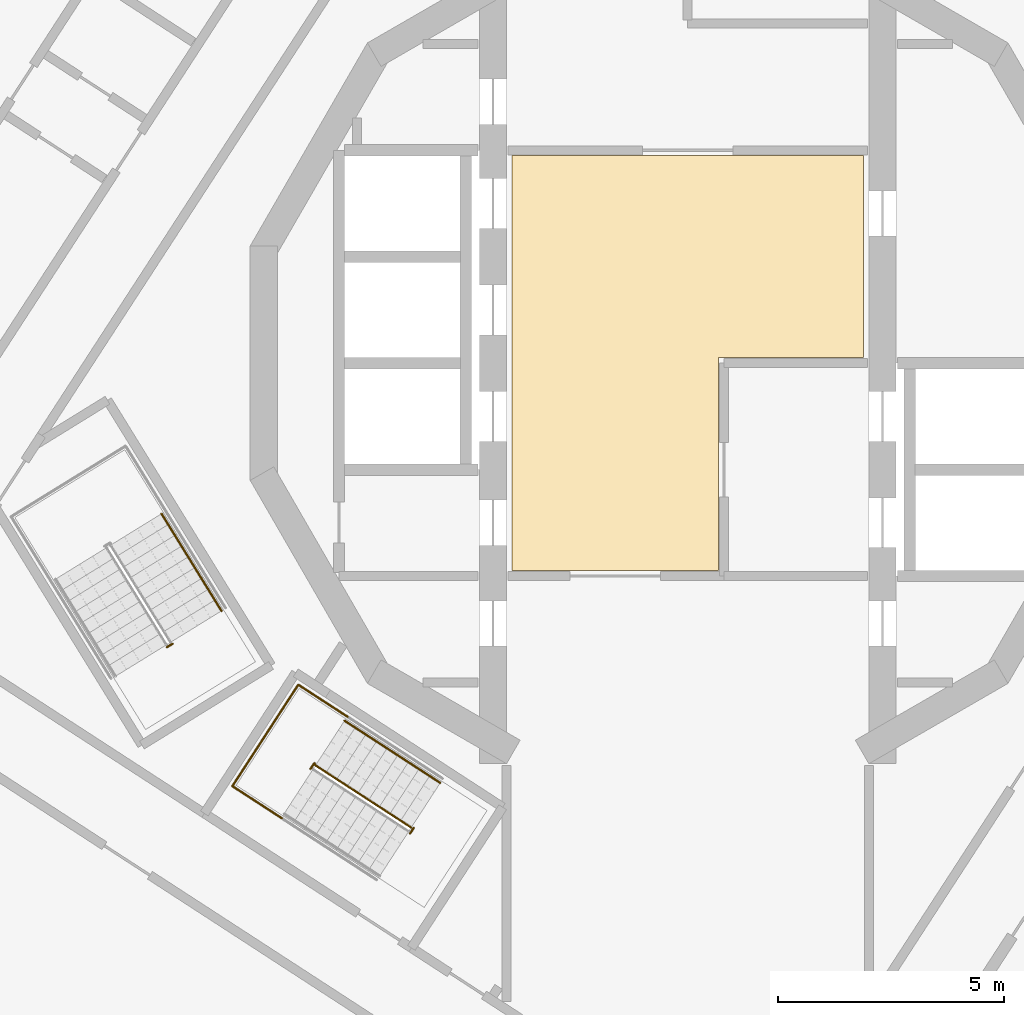
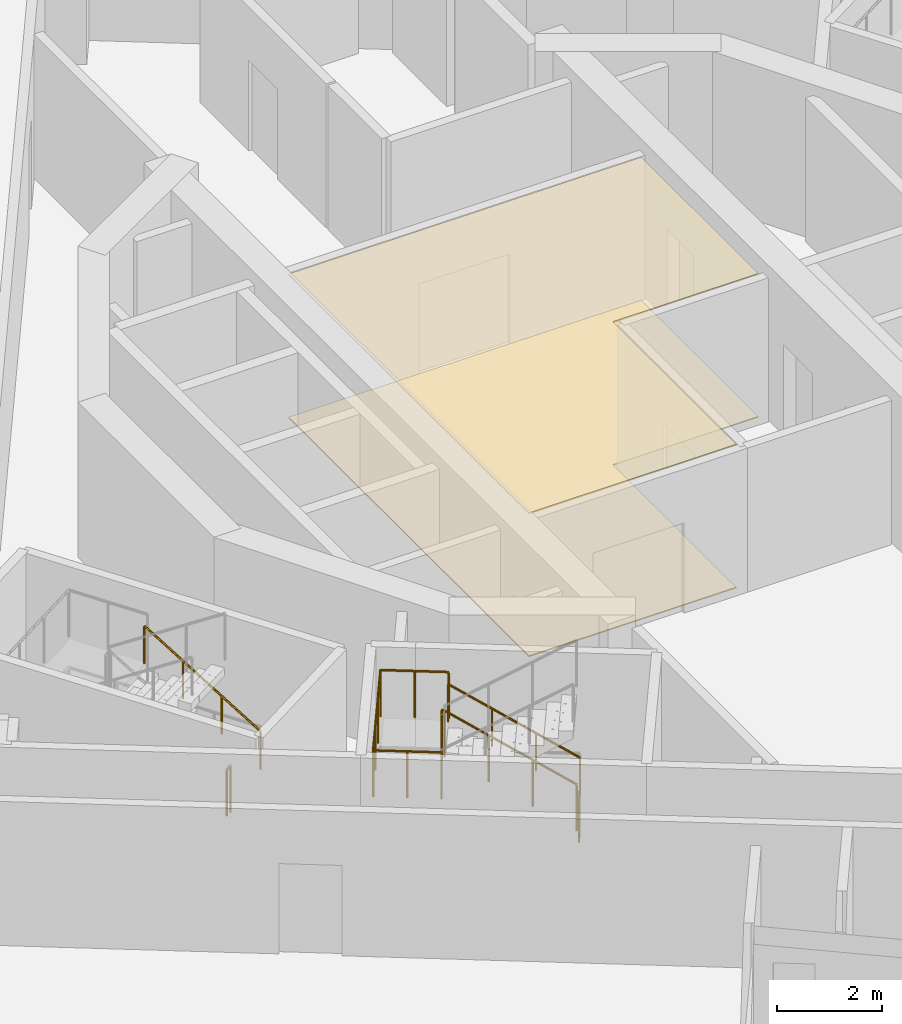
# One storey, part 11 of 15: 6 railings, 2 coverings.
"""IFC4 building model written with IfcOpenShell, lengths in metres."""

from ifc_helpers import new_model, si_unit, direction, frame, origin, origin_2d, place, context, subcontext, project, spatial, polyline, circle, outline, extrude, material, layer, layer_set, type_object, element, save


model = new_model("IFC4")

# Units and contexts
model_context = context("Model", 3, precision=1e-05, world=origin(), true_north=direction((0.0, 1.0)))
body_context = subcontext(model_context, "Body", "Model", "MODEL_VIEW")
ifc_project = project(units=[si_unit("LENGTHUNIT", "METRE"), si_unit("AREAUNIT", "SQUARE_METRE"), si_unit("VOLUMEUNIT", "CUBIC_METRE"), si_unit("PLANEANGLEUNIT", "RADIAN"), si_unit("MASSUNIT", "GRAM", prefix="KILO")], contexts=[model_context])

# Site, building, storey
site_placement = place(None, origin())
site = spatial("IfcSite", under=ifc_project, at=site_placement, CompositionType="ELEMENT")
building_placement = place(site_placement, origin())
building = spatial("IfcBuilding", under=site, at=building_placement, Name="Cantera Rosa Tower", CompositionType="ELEMENT")
storey_placement = place(building_placement, frame((0.0, 0.0, 250.5)))
storey = spatial("IfcBuildingStorey", under=building, at=storey_placement, Name="L55", CompositionType="ELEMENT", Elevation=250.5)

# Railings
ifc_material_1 = material(Name="Steel S355J2 (EN 10025-2)", Category="steel")
railing_type_1 = type_object("IfcRailingType", Name="STAIR GUARD 1100", PredefinedType="GUARDRAIL", material=ifc_material_1)
railing_1_placement = place(storey_placement, frame((-11.375, -6.19482421875, 0.0)))
element("IfcRailing", 1, at=railing_1_placement, inside=storey, type_object=railing_type_1, Name="L55 ST-52 stair guard 3", PredefinedType="GUARDRAIL", context=body_context, shape_type="SweptSolid", body=[
    extrude(circle(Radius=0.02392578125, at=origin_2d()), frame((0.0, 0.0, 1.076171875), z_axis=(-0.851546489876, -0.524279100842, 0.0), x_axis=(0.524279100842, -0.851546489876, 0.0)), (0.0, 0.0, 1.0), 0.14990234375),
    extrude(circle(Radius=0.02099609375, at=origin_2d()), origin(), (0.0, 0.0, 1.0), 1.052001953125),
    extrude(circle(Radius=0.02099609375, at=origin_2d()), frame((-0.127685546875, -0.07861328125, 0.0)), (0.0, 0.0, 1.0), 1.052001953125),
])
railing_2_placement = place(storey_placement, frame((-6.10400390625, -10.25341796875, 0.179931640625)))
element("IfcRailing", 2, at=railing_2_placement, inside=storey, type_object=railing_type_1, Name="L55 ST-53 stair guard 1", PredefinedType="GUARDRAIL", context=body_context, shape_type="SweptSolid", body=[
    extrude(circle(Radius=0.02392578125, at=origin_2d()), frame((0.0, 0.0, 1.076171875), z_axis=(-0.705462015847, 0.458138784, 0.540770005448), x_axis=(-0.544644381691, -0.838667095749, 0.0)), (0.0, 0.0, 1.0), 2.995849609375),
    extrude(circle(Radius=0.02392578125, at=origin_2d()), frame((-2.113525390625, 1.37255859375, 2.6962890625), z_axis=(-0.49005532576, 0.871691331662, 0.0), x_axis=(-0.871691331662, -0.49005532576, 0.0)), (0.0, 0.0, 1.0), 0.056396484375),
    extrude(circle(Radius=0.02392578125, at=origin_2d()), frame((-2.14111328125, 1.421630859375, 2.6962890625), z_axis=(-0.545274379459, -0.838257628123, 0.0), x_axis=(0.838257628123, -0.545274379459, 0.0)), (0.0, 0.0, 1.0), 0.14990234375),
    extrude(circle(Radius=0.02099609375, at=origin_2d()), origin(), (0.0, 0.0, 1.0), 1.052001953125),
    extrude(circle(Radius=0.02099609375, at=origin_2d()), frame((-0.70458984375, 0.45751953125, 0.5400390625)), (0.0, 0.0, 1.0), 1.052001953125),
    extrude(circle(Radius=0.02099609375, at=origin_2d()), frame((-1.408935546875, 0.9150390625, 1.080078125)), (0.0, 0.0, 1.0), 1.052001953125),
    extrude(circle(Radius=0.02099609375, at=origin_2d()), frame((-2.113525390625, 1.37255859375, 1.6201171875)), (0.0, 0.0, 1.0), 1.052001953125),
    extrude(circle(Radius=0.02099609375, at=origin_2d()), frame((-2.14111328125, 1.421630859375, 1.6201171875)), (0.0, 0.0, 1.0), 1.052001953125),
    extrude(circle(Radius=0.02099609375, at=origin_2d()), frame((-2.222900390625, 1.2958984375, 1.6201171875)), (0.0, 0.0, 1.0), 1.052001953125),
])
railing_3_placement = place(storey_placement, frame((-6.0478515625, -10.2587890625, 0.0)))
element("IfcRailing", 3, at=railing_3_placement, inside=storey, type_object=railing_type_1, Name="L55 ST-53 stair guard 3", PredefinedType="GUARDRAIL", context=body_context, shape_type="SweptSolid", body=[
    extrude(circle(Radius=0.02392578125, at=origin_2d()), frame((0.0, 0.0, 1.076171875), z_axis=(-0.545274379459, -0.838257628123, 0.0), x_axis=(0.838257628123, -0.545274379459, 0.0)), (0.0, 0.0, 1.0), 0.14990234375),
    extrude(circle(Radius=0.02099609375, at=origin_2d()), origin(), (0.0, 0.0, 1.0), 1.052001953125),
    extrude(circle(Radius=0.02099609375, at=origin_2d()), frame((-0.081787109375, -0.125732421875, 0.0)), (0.0, 0.0, 1.0), 1.052001953125),
])
railing_4_placement = place(storey_placement, frame((-7.507080078125, -7.808837890625, 1.800048828125)))
element("IfcRailing", 4, at=railing_4_placement, inside=storey, type_object=railing_type_1, Name="L55 ST-53 stair guard 5", PredefinedType="GUARDRAIL", context=body_context, shape_type="SweptSolid", body=[
    extrude(circle(Radius=0.02392578125, at=origin_2d()), frame((0.0, 0.0, 1.076171875), z_axis=(-0.838597818641, 0.544751042744, 0.0), x_axis=(-0.544751042744, -0.838597818641, 0.0)), (0.0, 0.0, 1.0), 1.302001953125),
    extrude(circle(Radius=0.02392578125, at=origin_2d()), frame((-1.091796875, 0.709228515625, 1.076171875), z_axis=(-0.544679779991, -0.838644106442, 0.0), x_axis=(0.838644106442, -0.544679779991, 0.0)), (0.0, 0.0, 1.0), 2.670166015625),
    extrude(circle(Radius=0.02392578125, at=origin_2d()), frame((-2.546142578125, -1.530029296875, 1.076171875), z_axis=(0.838653453326, -0.544665388311, 0.0), x_axis=(0.544665388311, 0.838653453326, 0.0)), (0.0, 0.0, 1.0), 1.30224609375),
    extrude(circle(Radius=0.02099609375, at=origin_2d()), origin(), (0.0, 0.0, 1.0), 1.052001953125),
    extrude(circle(Radius=0.02099609375, at=origin_2d()), frame((-0.5458984375, 0.3544921875, 0.0)), (0.0, 0.0, 1.0), 1.052001953125),
    extrude(circle(Radius=0.02099609375, at=origin_2d()), frame((-1.091796875, 0.709228515625, 0.0)), (0.0, 0.0, 1.0), 1.052001953125),
    extrude(circle(Radius=0.02099609375, at=origin_2d()), frame((-1.57666015625, -0.037109375, 0.0)), (0.0, 0.0, 1.0), 1.052001953125),
    extrude(circle(Radius=0.02099609375, at=origin_2d()), frame((-2.061279296875, -0.78369140625, 0.0)), (0.0, 0.0, 1.0), 1.052001953125),
    extrude(circle(Radius=0.02099609375, at=origin_2d()), frame((-2.546142578125, -1.530029296875, 0.0)), (0.0, 0.0, 1.0), 1.052001953125),
    extrude(circle(Radius=0.02099609375, at=origin_2d()), frame((-2.0, -1.884765625, 0.0)), (0.0, 0.0, 1.0), 1.052001953125),
    extrude(circle(Radius=0.02099609375, at=origin_2d()), frame((-1.4541015625, -2.2392578125, 0.0)), (0.0, 0.0, 1.0), 1.052001953125),
])
ifc_material_2 = material(Name="Steel S355J2 (EN 10025-2)", Category="steel")
railing_type_2 = type_object("IfcRailingType", Name="STAIR HANDRAIL 900", PredefinedType="HANDRAIL", material=ifc_material_2)
railing_5_placement = place(storey_placement, frame((-10.294677734375, -5.4697265625, 0.179931640625)))
element("IfcRailing", 5, at=railing_5_placement, inside=storey, type_object=railing_type_2, Name="L55 ST-52 stair handrail 1", PredefinedType="HANDRAIL", context=body_context, shape_type="SweptSolid", body=[
    extrude(circle(Radius=0.02392578125, at=origin_2d()), frame((0.0, 0.0, 0.8759765625), z_axis=(-0.441609067481, 0.715913574058, 0.540785711718), x_axis=(-0.851102330005, -0.524999832248, 0.0)), (0.0, 0.0, 1.0), 2.995849609375),
    extrude(circle(Radius=0.02099609375, at=origin_2d()), origin(), (0.0, 0.0, 1.0), 0.851806640625),
    extrude(circle(Radius=0.02099609375, at=origin_2d()), frame((-0.44091796875, 0.71484375, 0.5400390625)), (0.0, 0.0, 1.0), 0.851806640625),
    extrude(circle(Radius=0.02099609375, at=origin_2d()), frame((-0.882080078125, 1.429931640625, 1.080078125)), (0.0, 0.0, 1.0), 0.851806640625),
    extrude(circle(Radius=0.02099609375, at=origin_2d()), frame((-1.322998046875, 2.144775390625, 1.6201171875)), (0.0, 0.0, 1.0), 0.851806640625),
])
railing_6_placement = place(storey_placement, frame((-5.463623046875, -9.26708984375, 0.179931640625)))
element("IfcRailing", 6, at=railing_6_placement, inside=storey, type_object=railing_type_2, Name="L55 ST-53 stair handrail 1", PredefinedType="HANDRAIL", context=body_context, shape_type="SweptSolid", body=[
    extrude(circle(Radius=0.02392578125, at=origin_2d()), frame((0.0, 0.0, 0.8759765625), z_axis=(-0.705421077808, 0.458165122394, 0.540801094309), x_axis=(-0.544688635705, -0.838638354795, 0.0)), (0.0, 0.0, 1.0), 2.995849609375),
    extrude(circle(Radius=0.02099609375, at=origin_2d()), origin(), (0.0, 0.0, 1.0), 0.851806640625),
    extrude(circle(Radius=0.02099609375, at=origin_2d()), frame((-0.704345703125, 0.45751953125, 0.5400390625)), (0.0, 0.0, 1.0), 0.851806640625),
    extrude(circle(Radius=0.02099609375, at=origin_2d()), frame((-1.408935546875, 0.9150390625, 1.080078125)), (0.0, 0.0, 1.0), 0.851806640625),
    extrude(circle(Radius=0.02099609375, at=origin_2d()), frame((-2.11328125, 1.37255859375, 1.6201171875)), (0.0, 0.0, 1.0), 0.851806640625),
])

# Coverings
ifc_material_3 = material(Name="Limestone paving", Category="masonry")
ifc_layer_1 = layer(ifc_material_3, 0.02490234375)
ifc_layer_set_1 = layer_set([ifc_layer_1], Name="STONE FLOOR FINISH 25")
covering_type_1 = type_object("IfcCoveringType", Name="STONE FLOOR FINISH 25", PredefinedType="FLOORING", material=ifc_layer_set_1)
covering_1_placement = place(storey_placement, origin())
element("IfcCovering", 7, at=covering_1_placement, inside=storey, type_object=covering_type_1, Name="STONE FLOOR FINISH L55", PredefinedType="FLOORING", context=body_context, shape_type="SweptSolid", body=[
    extrude(outline(polyline([(3.8798828125, 4.580078125), (3.8798828125, 0.1201171875), (0.679931640625, 0.1201171875), (0.679931640625, -4.580078125), (-3.8798828125, -4.580078125), (-3.8798828125, 4.580078125), (3.8798828125, 4.580078125)])), origin(), (0.0, 0.0, 1.0), 0.02490234375),
])
ifc_material_4 = material(Name="Gypsum ceiling tile")
ifc_layer_2 = layer(ifc_material_4, 0.030029296875)
ifc_layer_set_2 = layer_set([ifc_layer_2], Name="SUSPENDED CEILING 30")
covering_type_2 = type_object("IfcCoveringType", Name="SUSPENDED CEILING 30", PredefinedType="CEILING", material=ifc_layer_set_2)
covering_2_placement = place(storey_placement, frame((0.0, 0.0, 3.320068359375)))
element("IfcCovering", 8, at=covering_2_placement, inside=storey, type_object=covering_type_2, Name="SUSPENDED CEILING L55", PredefinedType="CEILING", context=body_context, shape_type="SweptSolid", body=[
    extrude(outline(polyline([(3.8798828125, 4.580078125), (3.8798828125, 0.1201171875), (0.679931640625, 0.1201171875), (0.679931640625, -4.580078125), (-3.8798828125, -4.580078125), (-3.8798828125, 4.580078125), (3.8798828125, 4.580078125)])), origin(), (0.0, 0.0, 1.0), 0.030029296875),
])

save(model, "model.ifc")
